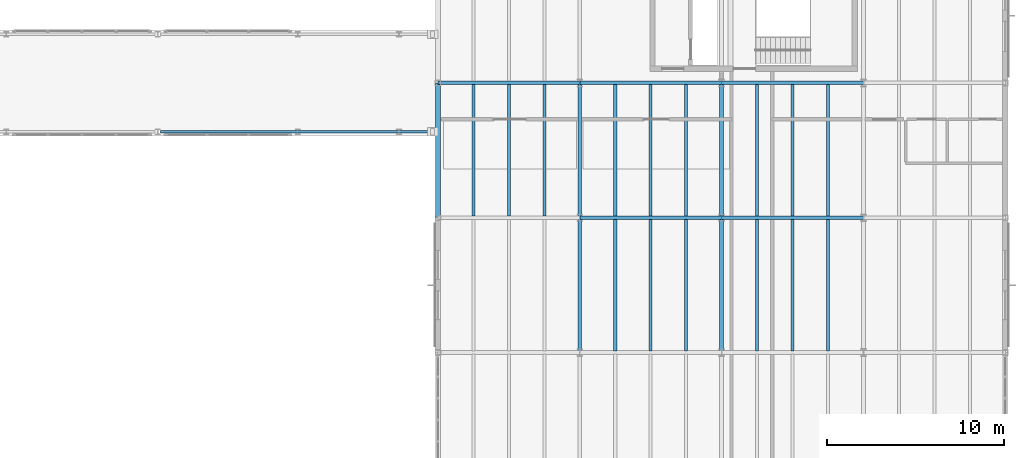
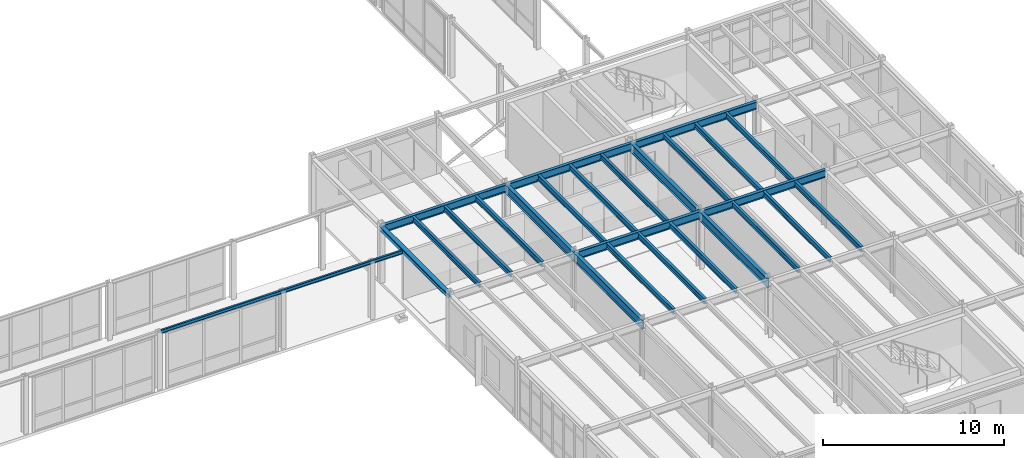
# One storey, part 100 of 165: 26 beams.
"""IFC4 building model written with IfcOpenShell, lengths in metres."""

from ifc_helpers import new_model, si_unit, direction, frame, origin, origin_2d, place, context, subcontext, project, spatial, i_section, extrude, material, material_profile, profile_set, type_object, element, save


model = new_model("IFC4")

# Units and contexts
model_context = context("Model", 3, precision=1e-05, world=origin(), true_north=direction((0.0, 1.0)))
body_context = subcontext(model_context, "Body", "Model", "MODEL_VIEW")
ifc_project = project(units=[si_unit("LENGTHUNIT", "METRE"), si_unit("AREAUNIT", "SQUARE_METRE"), si_unit("VOLUMEUNIT", "CUBIC_METRE"), si_unit("PLANEANGLEUNIT", "RADIAN"), si_unit("MASSUNIT", "GRAM", prefix="KILO")], contexts=[model_context])

# Site, building, storey
site_placement = place(None, origin())
site = spatial("IfcSite", under=ifc_project, at=site_placement, CompositionType="ELEMENT")
building_placement = place(site_placement, origin())
building = spatial("IfcBuilding", under=site, at=building_placement, Name="Montecoro Central Library", CompositionType="ELEMENT")
storey_placement = place(building_placement, frame((0.0, 0.0, 5.10009765625)))
storey = spatial("IfcBuildingStorey", under=building, at=storey_placement, Name="L01", CompositionType="ELEMENT", Elevation=5.10009765625)

# Beams
ifc_material_1 = material(Name="Steel S355", Category="steel")
ifc_material_profile_1 = material_profile(ifc_material_1, i_section(OverallWidth=0.199951171875, OverallDepth=0.5, WebThickness=0.01025390625, FlangeThickness=0.01611328125, at=origin_2d()), Name="IPE 500")
ifc_profile_set_1 = profile_set([ifc_material_profile_1], Name="Steel S355")
beam_type_1 = type_object("IfcBeamType", Name="BM-G-IPE500", PredefinedType="USERDEFINED", material=ifc_profile_set_1)
for number, where, z_axis, x_axis, name in (
    (1, (149.0048828125, 27.800048828125, 3.574951171875), (1.0, 0.0, 0.0), (0.0, 1.0, 0.0), "V6-L01-BX-1920-D"),
    (2, (157.0048828125, 27.800048828125, 3.574951171875), (1.0, 0.0, 0.0), (0.0, 1.0, 0.0), "V6-L01-BX-2021-D"),
    (3, (141.0048828125, 35.39990234375, 3.574951171875), (1.0, 0.0, 0.0), (0.0, 1.0, 0.0), "V6-L01-BX-1819-E"),
    (4, (149.0048828125, 35.39990234375, 3.574951171875), (1.0, 0.0, 0.0), (0.0, 1.0, 0.0), "V6-L01-BX-1920-E"),
    (5, (157.0048828125, 35.39990234375, 3.574951171875), (1.0, 0.0, 0.0), (0.0, 1.0, 0.0), "V6-L01-BX-2021-E"),
):
    element("IfcBeam", number, at=place(storey_placement, frame(where, z_axis=z_axis, x_axis=x_axis)), inside=storey, type_object=beam_type_1, Name=name, ObjectType="GIRDER", PredefinedType="USERDEFINED", context=body_context, shape_type="SweptSolid", body=[
        extrude(i_section(OverallWidth=0.199951171875, OverallDepth=0.5, WebThickness=0.01025390625, FlangeThickness=0.01611328125, at=origin_2d()), origin(), (0.0, 0.0, 1.0), 7.990234375),
    ])
ifc_material_2 = material(Name="Steel S355J2", Category="steel")
ifc_material_profile_2 = material_profile(ifc_material_2, i_section(OverallWidth=0.219970703125, OverallDepth=0.60009765625, WebThickness=0.011962890625, FlangeThickness=0.01904296875, at=origin_2d()), Name="IPE 600")
ifc_profile_set_2 = profile_set([ifc_material_profile_2], Name="Steel S355J2")
beam_type_2 = type_object("IfcBeamType", Name="BM-G-IPE600", PredefinedType="USERDEFINED", material=ifc_profile_set_2)
beam_1_placement = place(storey_placement, frame((149.0, 20.205078125, 3.52490234375), z_axis=(0.0, 1.0, 0.0), x_axis=(-1.0, 0.0, 0.0)))
element("IfcBeam", 6, at=beam_1_placement, inside=storey, type_object=beam_type_2, Name="V6-L01-BY-19-CD", ObjectType="GIRDER", PredefinedType="USERDEFINED", context=body_context, shape_type="SweptSolid", body=[
    extrude(i_section(OverallWidth=0.219970703125, OverallDepth=0.60009765625, WebThickness=0.011962890625, FlangeThickness=0.01904296875, at=origin_2d()), origin(), (0.0, 0.0, 1.0), 7.58984375),
])
beam_2_placement = place(storey_placement, frame((149.0, 27.804931640625, 3.52490234375), z_axis=(0.0, 1.0, 0.0), x_axis=(-1.0, 0.0, 0.0)))
element("IfcBeam", 7, at=beam_2_placement, inside=storey, type_object=beam_type_2, Name="V6-L01-BY-19-DE", ObjectType="GIRDER", PredefinedType="USERDEFINED", context=body_context, shape_type="SweptSolid", body=[
    extrude(i_section(OverallWidth=0.219970703125, OverallDepth=0.60009765625, WebThickness=0.011962890625, FlangeThickness=0.01904296875, at=origin_2d()), origin(), (0.0, 0.0, 1.0), 7.590087890625),
])
beam_3_placement = place(storey_placement, frame((157.0, 20.205078125, 3.52490234375), z_axis=(0.0, 1.0, 0.0), x_axis=(-1.0, 0.0, 0.0)))
element("IfcBeam", 8, at=beam_3_placement, inside=storey, type_object=beam_type_2, Name="V6-L01-BY-20-CD", ObjectType="GIRDER", PredefinedType="USERDEFINED", context=body_context, shape_type="SweptSolid", body=[
    extrude(i_section(OverallWidth=0.219970703125, OverallDepth=0.60009765625, WebThickness=0.011962890625, FlangeThickness=0.01904296875, at=origin_2d()), origin(), (0.0, 0.0, 1.0), 7.58984375),
])
beam_4_placement = place(storey_placement, frame((157.0, 27.804931640625, 3.52490234375), z_axis=(0.0, 1.0, 0.0), x_axis=(-1.0, 0.0, 0.0)))
element("IfcBeam", 9, at=beam_4_placement, inside=storey, type_object=beam_type_2, Name="V6-L01-BY-20-DE", ObjectType="GIRDER", PredefinedType="USERDEFINED", context=body_context, shape_type="SweptSolid", body=[
    extrude(i_section(OverallWidth=0.219970703125, OverallDepth=0.60009765625, WebThickness=0.011962890625, FlangeThickness=0.01904296875, at=origin_2d()), origin(), (0.0, 0.0, 1.0), 7.590087890625),
])
ifc_material_profile_3 = material_profile(ifc_material_1, i_section(OverallWidth=0.169921875, OverallDepth=0.360107421875, WebThickness=0.008056640625, FlangeThickness=0.0126953125, at=origin_2d()), Name="IPE 360")
ifc_profile_set_3 = profile_set([ifc_material_profile_3], Name="Steel S355")
beam_type_3 = type_object("IfcBeamType", Name="BM-J-IPE360", PredefinedType="JOIST", material=ifc_profile_set_3)
for number, where, z_axis, x_axis, name in (
    (10, (143.0, 27.89697265625, 3.64501953125), (0.0, 1.0, 0.0), (-1.0, 0.0, 0.0), "V6-L01-JS-1819-DE-1"),
    (11, (145.0, 27.89697265625, 3.64501953125), (0.0, 1.0, 0.0), (-1.0, 0.0, 0.0), "V6-L01-JS-1819-DE-2"),
    (12, (147.0, 27.89697265625, 3.64501953125), (0.0, 1.0, 0.0), (-1.0, 0.0, 0.0), "V6-L01-JS-1819-DE-3"),
):
    element("IfcBeam", number, at=place(storey_placement, frame(where, z_axis=z_axis, x_axis=x_axis)), inside=storey, type_object=beam_type_3, Name=name, PredefinedType="JOIST", context=body_context, shape_type="SweptSolid", body=[
        extrude(i_section(OverallWidth=0.169921875, OverallDepth=0.360107421875, WebThickness=0.008056640625, FlangeThickness=0.0126953125, at=origin_2d()), origin(), (0.0, 0.0, 1.0), 7.406005859375),
    ])
for number, where, z_axis, x_axis, name in (
    (13, (151.0, 20.297119140625, 3.64501953125), (0.0, 1.0, 0.0), (-1.0, 0.0, 0.0), "V6-L01-JS-1920-CD-1"),
    (14, (153.0, 20.297119140625, 3.64501953125), (0.0, 1.0, 0.0), (-1.0, 0.0, 0.0), "V6-L01-JS-1920-CD-2"),
    (15, (155.0, 20.297119140625, 3.64501953125), (0.0, 1.0, 0.0), (-1.0, 0.0, 0.0), "V6-L01-JS-1920-CD-3"),
):
    element("IfcBeam", number, at=place(storey_placement, frame(where, z_axis=z_axis, x_axis=x_axis)), inside=storey, type_object=beam_type_3, Name=name, PredefinedType="JOIST", context=body_context, shape_type="SweptSolid", body=[
        extrude(i_section(OverallWidth=0.169921875, OverallDepth=0.360107421875, WebThickness=0.008056640625, FlangeThickness=0.0126953125, at=origin_2d()), origin(), (0.0, 0.0, 1.0), 7.40576171875),
    ])
for number, where, z_axis, x_axis, name in (
    (16, (151.0, 27.89697265625, 3.64501953125), (0.0, 1.0, 0.0), (-1.0, 0.0, 0.0), "V6-L01-JS-1920-DE-1"),
    (17, (153.0, 27.89697265625, 3.64501953125), (0.0, 1.0, 0.0), (-1.0, 0.0, 0.0), "V6-L01-JS-1920-DE-2"),
    (18, (155.0, 27.89697265625, 3.64501953125), (0.0, 1.0, 0.0), (-1.0, 0.0, 0.0), "V6-L01-JS-1920-DE-3"),
):
    element("IfcBeam", number, at=place(storey_placement, frame(where, z_axis=z_axis, x_axis=x_axis)), inside=storey, type_object=beam_type_3, Name=name, PredefinedType="JOIST", context=body_context, shape_type="SweptSolid", body=[
        extrude(i_section(OverallWidth=0.169921875, OverallDepth=0.360107421875, WebThickness=0.008056640625, FlangeThickness=0.0126953125, at=origin_2d()), origin(), (0.0, 0.0, 1.0), 7.406005859375),
    ])
for number, where, z_axis, x_axis, name in (
    (19, (159.0, 20.297119140625, 3.64501953125), (0.0, 1.0, 0.0), (-1.0, 0.0, 0.0), "V6-L01-JS-2021-CD-1"),
    (20, (161.0, 20.297119140625, 3.64501953125), (0.0, 1.0, 0.0), (-1.0, 0.0, 0.0), "V6-L01-JS-2021-CD-2"),
    (21, (163.0, 20.297119140625, 3.64501953125), (0.0, 1.0, 0.0), (-1.0, 0.0, 0.0), "V6-L01-JS-2021-CD-3"),
):
    element("IfcBeam", number, at=place(storey_placement, frame(where, z_axis=z_axis, x_axis=x_axis)), inside=storey, type_object=beam_type_3, Name=name, PredefinedType="JOIST", context=body_context, shape_type="SweptSolid", body=[
        extrude(i_section(OverallWidth=0.169921875, OverallDepth=0.360107421875, WebThickness=0.008056640625, FlangeThickness=0.0126953125, at=origin_2d()), origin(), (0.0, 0.0, 1.0), 7.40576171875),
    ])
for number, where, z_axis, x_axis, name in (
    (22, (159.0, 27.89697265625, 3.64501953125), (0.0, 1.0, 0.0), (-1.0, 0.0, 0.0), "V6-L01-JS-2021-DE-1"),
    (23, (161.0, 27.89697265625, 3.64501953125), (0.0, 1.0, 0.0), (-1.0, 0.0, 0.0), "V6-L01-JS-2021-DE-2"),
    (24, (163.0, 27.89697265625, 3.64501953125), (0.0, 1.0, 0.0), (-1.0, 0.0, 0.0), "V6-L01-JS-2021-DE-3"),
):
    element("IfcBeam", number, at=place(storey_placement, frame(where, z_axis=z_axis, x_axis=x_axis)), inside=storey, type_object=beam_type_3, Name=name, PredefinedType="JOIST", context=body_context, shape_type="SweptSolid", body=[
        extrude(i_section(OverallWidth=0.169921875, OverallDepth=0.360107421875, WebThickness=0.008056640625, FlangeThickness=0.0126953125, at=origin_2d()), origin(), (0.0, 0.0, 1.0), 7.406005859375),
    ])
ifc_material_profile_4 = material_profile(ifc_material_1, i_section(OverallWidth=0.280029296875, OverallDepth=0.27001953125, WebThickness=0.008056640625, FlangeThickness=0.012939453125, at=origin_2d()), Name="HEA 280")
ifc_profile_set_4 = profile_set([ifc_material_profile_4], Name="Steel S355")
beam_type_4 = type_object("IfcBeamType", Name="BM-SP-HEA280", PredefinedType="SPANDREL", material=ifc_profile_set_4)
beam_5_placement = place(storey_placement, frame((141.0, 27.804931640625, 3.68994140625), z_axis=(0.0, 1.0, 0.0), x_axis=(-1.0, 0.0, 0.0)))
element("IfcBeam", 25, at=beam_5_placement, inside=storey, type_object=beam_type_4, Name="V6-L01-BY-18-DE", PredefinedType="SPANDREL", context=body_context, shape_type="SweptSolid", body=[
    extrude(i_section(OverallWidth=0.280029296875, OverallDepth=0.27001953125, WebThickness=0.008056640625, FlangeThickness=0.012939453125, at=origin_2d()), origin(), (0.0, 0.0, 1.0), 7.590087890625),
])
ifc_material_profile_5 = material_profile(ifc_material_1, i_section(OverallWidth=0.1201171875, OverallDepth=0.239990234375, WebThickness=0.006103515625, FlangeThickness=0.009765625, at=origin_2d()), Name="IPE 240")
ifc_profile_set_5 = profile_set([ifc_material_profile_5], Name="Steel S355")
beam_type_5 = type_object("IfcBeamType", Name="BM-SP-IPE240", PredefinedType="SPANDREL", material=ifc_profile_set_5)
beam_6_placement = place(storey_placement, frame((125.360107421875, 32.64990234375, 3.787841796875), z_axis=(1.0, 0.0, 0.0), x_axis=(0.0, 1.0, 0.0)))
element("IfcBeam", 26, at=beam_6_placement, inside=storey, type_object=beam_type_5, Name="BR-SE-ROOF-BM-S2", PredefinedType="SPANDREL", context=body_context, shape_type="SweptSolid", body=[
    extrude(i_section(OverallWidth=0.1201171875, OverallDepth=0.239990234375, WebThickness=0.006103515625, FlangeThickness=0.009765625, at=origin_2d()), origin(), (0.0, 0.0, 1.0), 15.419921875),
])

save(model, "model.ifc")
